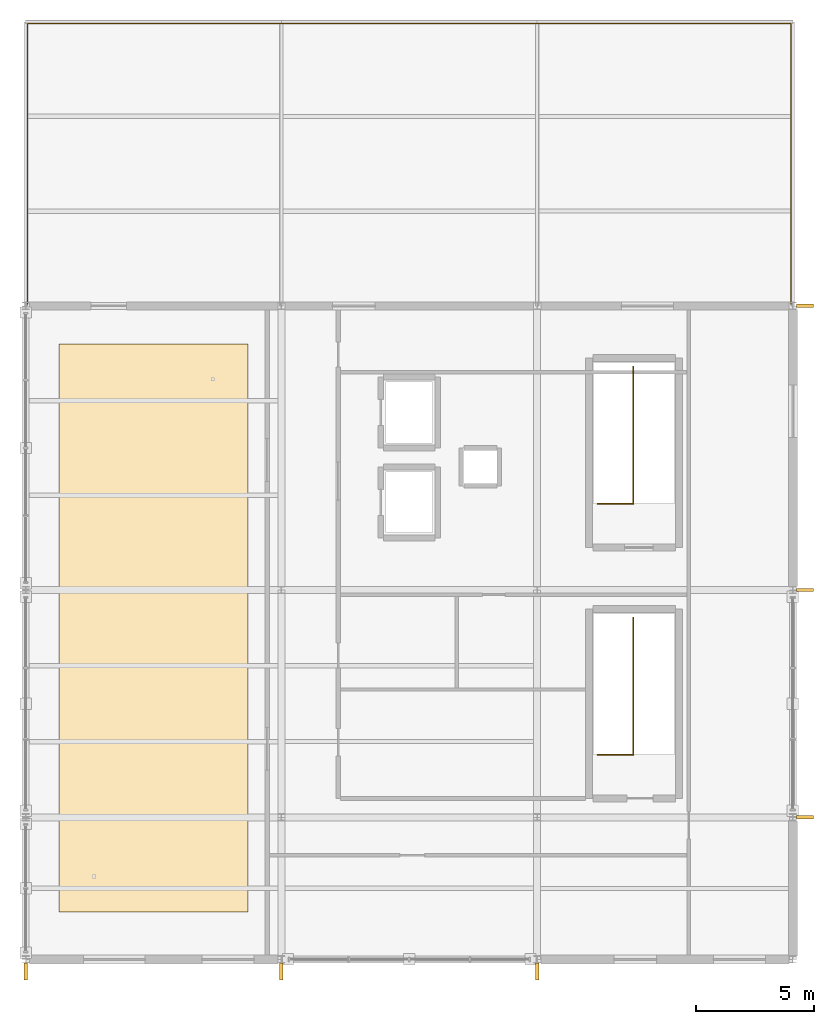
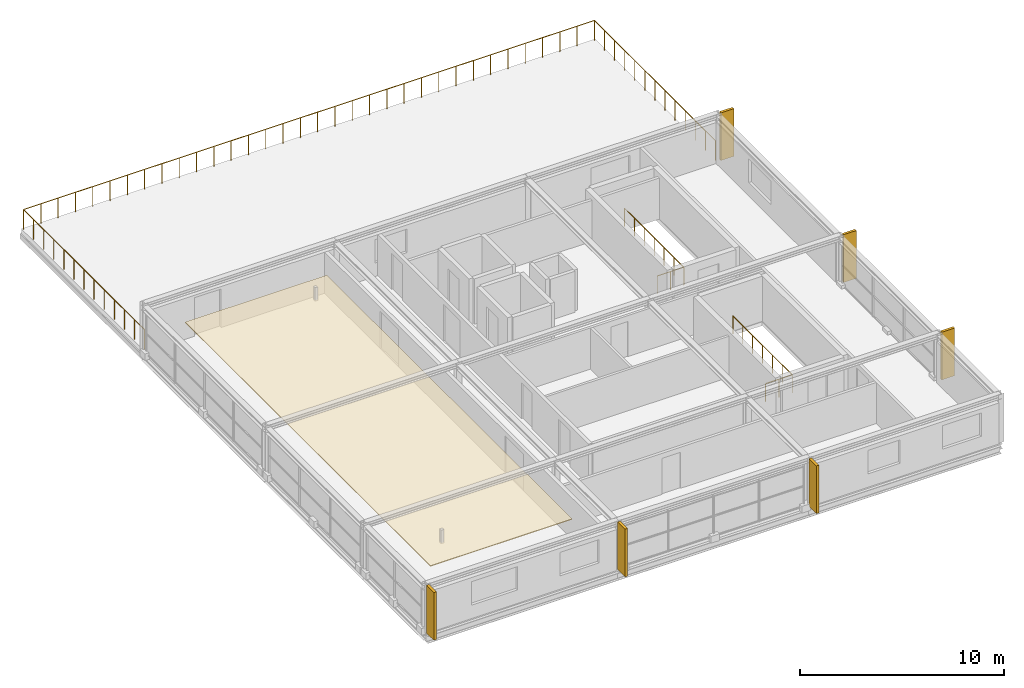
# One storey, part 14 of 14: 7 coverings, 3 railings.
"""IFC4 building model written with IfcOpenShell, lengths in metres."""

from ifc_helpers import new_model, si_unit, direction, frame, origin, origin_2d, place, context, subcontext, project, spatial, polyline, circle, outline, extrude, material, layer, layer_set, type_object, element, save


model = new_model("IFC4")

# Units and contexts
model_context = context("Model", 3, precision=1e-05, world=origin(), true_north=direction((0.0, 1.0)))
body_context = subcontext(model_context, "Body", "Model", "MODEL_VIEW")
ifc_project = project(units=[si_unit("LENGTHUNIT", "METRE"), si_unit("AREAUNIT", "SQUARE_METRE"), si_unit("VOLUMEUNIT", "CUBIC_METRE"), si_unit("PLANEANGLEUNIT", "RADIAN"), si_unit("MASSUNIT", "GRAM", prefix="KILO")], contexts=[model_context])

# Site, building, storey
site_placement = place(None, origin())
site = spatial("IfcSite", under=ifc_project, at=site_placement, CompositionType="ELEMENT")
building_placement = place(site_placement, origin())
building = spatial("IfcBuilding", under=site, at=building_placement, Name="Merenkruunu Market Hall", CompositionType="ELEMENT")
storey_placement = place(building_placement, frame((0.0, 0.0, 18.60009765625)))
storey = spatial("IfcBuildingStorey", under=building, at=storey_placement, Name="L04", CompositionType="ELEMENT", Elevation=18.60009765625)

# Coverings
ifc_material_1 = material(Name="Precast concrete C40/50", Category="concrete")
ifc_layer_1 = layer(ifc_material_1, 0.139892578125)
ifc_layer_set_1 = layer_set([ifc_layer_1], Name="Precast concrete C40/50")
covering_type_1 = type_object("IfcCoveringType", Name="Architectural Precast Sun Fin CLD02", PredefinedType="CLADDING", material=ifc_layer_set_1)
covering_1_placement = place(storey_placement, origin())
element("IfcCovering", 1, at=covering_1_placement, inside=storey, type_object=covering_type_1, Name="FIN-S-L04-072", PredefinedType="CLADDING", context=body_context, shape_type="SweptSolid", body=[
    extrude(outline(polyline([(159.530029296875, -0.8701171875), (159.669921875, -0.8701171875), (159.669921875, -0.14794921875), (159.530029296875, -0.14794921875), (159.530029296875, -0.8701171875)])), origin(), (0.0, 0.0, 1.0), 2.849853515625),
])
covering_2_placement = place(storey_placement, origin())
element("IfcCovering", 2, at=covering_2_placement, inside=storey, type_object=covering_type_1, Name="FIN-S-L04-077", PredefinedType="CLADDING", context=body_context, shape_type="SweptSolid", body=[
    extrude(outline(polyline([(170.330078125, -0.8701171875), (170.469970703125, -0.8701171875), (170.469970703125, -0.14794921875), (170.330078125, -0.14794921875), (170.330078125, -0.8701171875)])), origin(), (0.0, 0.0, 1.0), 2.849853515625),
])
covering_3_placement = place(storey_placement, origin())
element("IfcCovering", 3, at=covering_3_placement, inside=storey, type_object=covering_type_1, Name="FIN-S-L04-082", PredefinedType="CLADDING", context=body_context, shape_type="SweptSolid", body=[
    extrude(outline(polyline([(181.1298828125, -0.8701171875), (181.27001953125, -0.8701171875), (181.27001953125, -0.14794921875), (181.1298828125, -0.14794921875), (181.1298828125, -0.8701171875)])), origin(), (0.0, 0.0, 1.0), 2.849853515625),
])
covering_4_placement = place(storey_placement, origin())
element("IfcCovering", 4, at=covering_4_placement, inside=storey, type_object=covering_type_1, Name="FIN-E-L04-087", PredefinedType="CLADDING", context=body_context, shape_type="SweptSolid", body=[
    extrude(outline(polyline([(192.14794921875, 5.929931640625), (192.8701171875, 5.929931640625), (192.8701171875, 6.070068359375), (192.14794921875, 6.070068359375), (192.14794921875, 5.929931640625)])), origin(), (0.0, 0.0, 1.0), 2.849853515625),
])
covering_5_placement = place(storey_placement, origin())
element("IfcCovering", 5, at=covering_5_placement, inside=storey, type_object=covering_type_1, Name="FIN-E-L04-092", PredefinedType="CLADDING", context=body_context, shape_type="SweptSolid", body=[
    extrude(outline(polyline([(192.14794921875, 15.530029296875), (192.8701171875, 15.530029296875), (192.8701171875, 15.669921875), (192.14794921875, 15.669921875), (192.14794921875, 15.530029296875)])), origin(), (0.0, 0.0, 1.0), 2.849853515625),
])
covering_6_placement = place(storey_placement, origin())
element("IfcCovering", 6, at=covering_6_placement, inside=storey, type_object=covering_type_1, Name="FIN-E-L04-097", PredefinedType="CLADDING", context=body_context, shape_type="SweptSolid", body=[
    extrude(outline(polyline([(192.14794921875, 27.530029296875), (192.8701171875, 27.530029296875), (192.8701171875, 27.669921875), (192.14794921875, 27.669921875), (192.14794921875, 27.530029296875)])), origin(), (0.0, 0.0, 1.0), 2.849853515625),
])

# Railings
ifc_material_2 = material(Name="Brushed stainless steel", Category="steel")
railing_type_1 = type_object("IfcRailingType", Name="Gallery Balustrade Guard GR01", PredefinedType="BALUSTRADE", material=ifc_material_2)
for number, where, name in (
    (7, (183.760009765625, 8.639892578125, 0.0), "RAIL-L04-0053"),
    (8, (183.760009765625, 19.239990234375, 0.0), "RAIL-L04-0070"),
):
    element("IfcRailing", number, at=place(storey_placement, frame(where)), inside=storey, type_object=railing_type_1, Name=name, PredefinedType="BALUSTRADE", context=body_context, shape_type="SweptSolid", body=[
        extrude(circle(Radius=0.02392578125, at=origin_2d()), frame((0.0, 0.0, 1.076171875), z_axis=(1.0, 0.0, 0.0), x_axis=(0.0, 1.0, 0.0)), (0.0, 0.0, 1.0), 1.5),
        extrude(circle(Radius=0.02392578125, at=origin_2d()), frame((1.5, 0.0, 1.076171875), z_axis=(0.0, 1.0, 0.0), x_axis=(-1.0, 0.0, 0.0)), (0.0, 0.0, 1.0), 5.800048828125),
        extrude(circle(Radius=0.02099609375, at=origin_2d()), origin(), (0.0, 0.0, 1.0), 1.052001953125),
        extrude(circle(Radius=0.02099609375, at=origin_2d()), frame((0.75, 0.0, 0.0)), (0.0, 0.0, 1.0), 1.052001953125),
        extrude(circle(Radius=0.02099609375, at=origin_2d()), frame((1.5, 0.0, 0.0)), (0.0, 0.0, 1.0), 1.052001953125),
        extrude(circle(Radius=0.02099609375, at=origin_2d()), frame((1.5, 0.966796875, 0.0)), (0.0, 0.0, 1.0), 1.052001953125),
        extrude(circle(Radius=0.02099609375, at=origin_2d()), frame((1.5, 1.933349609375, 0.0)), (0.0, 0.0, 1.0), 1.052001953125),
        extrude(circle(Radius=0.02099609375, at=origin_2d()), frame((1.5, 2.89990234375, 0.0)), (0.0, 0.0, 1.0), 1.052001953125),
        extrude(circle(Radius=0.02099609375, at=origin_2d()), frame((1.5, 3.86669921875, 0.0)), (0.0, 0.0, 1.0), 1.052001953125),
        extrude(circle(Radius=0.02099609375, at=origin_2d()), frame((1.5, 4.83349609375, 0.0)), (0.0, 0.0, 1.0), 1.052001953125),
        extrude(circle(Radius=0.02099609375, at=origin_2d()), frame((1.5, 5.800048828125, 0.0)), (0.0, 0.0, 1.0), 1.052001953125),
    ])
ifc_material_3 = material(Name="Laminated safety glass", Category="glass")
railing_type_2 = type_object("IfcRailingType", Name="High Drop Balustrade Guard GR02", PredefinedType="BALUSTRADE", material=ifc_material_3)
railing_placement = place(storey_placement, frame((159.679931640625, 27.679931640625, 0.0)))
element("IfcRailing", 9, at=railing_placement, inside=storey, type_object=railing_type_2, Name="RAIL-L04-0138", PredefinedType="BALUSTRADE", context=body_context, shape_type="SweptSolid", body=[
    extrude(circle(Radius=0.02392578125, at=origin_2d()), frame((0.0, 0.0, 1.17578125), z_axis=(0.0, 1.0, 0.0), x_axis=(-1.0, 0.0, 0.0)), (0.0, 0.0, 1.0), 11.840087890625),
    extrude(circle(Radius=0.02392578125, at=origin_2d()), frame((0.0, 11.840087890625, 1.17578125), z_axis=(1.0, 0.0, 0.0), x_axis=(0.0, 1.0, 0.0)), (0.0, 0.0, 1.0), 32.239990234375),
    extrude(circle(Radius=0.02392578125, at=origin_2d()), frame((32.239990234375, 11.840087890625, 1.17578125), z_axis=(0.0, -1.0, 0.0), x_axis=(1.0, 0.0, 0.0)), (0.0, 0.0, 1.0), 11.840087890625),
    extrude(circle(Radius=0.02099609375, at=origin_2d()), origin(), (0.0, 0.0, 1.0), 1.15185546875),
    extrude(circle(Radius=0.02099609375, at=origin_2d()), frame((0.0, 0.986572265625, 0.0)), (0.0, 0.0, 1.0), 1.15185546875),
    extrude(circle(Radius=0.02099609375, at=origin_2d()), frame((0.0, 1.973388671875, 0.0)), (0.0, 0.0, 1.0), 1.15185546875),
    extrude(circle(Radius=0.02099609375, at=origin_2d()), frame((0.0, 2.9599609375, 0.0)), (0.0, 0.0, 1.0), 1.15185546875),
    extrude(circle(Radius=0.02099609375, at=origin_2d()), frame((0.0, 3.94677734375, 0.0)), (0.0, 0.0, 1.0), 1.15185546875),
    extrude(circle(Radius=0.02099609375, at=origin_2d()), frame((0.0, 4.933349609375, 0.0)), (0.0, 0.0, 1.0), 1.15185546875),
    extrude(circle(Radius=0.02099609375, at=origin_2d()), frame((0.0, 5.919921875, 0.0)), (0.0, 0.0, 1.0), 1.15185546875),
    extrude(circle(Radius=0.02099609375, at=origin_2d()), frame((0.0, 6.90673828125, 0.0)), (0.0, 0.0, 1.0), 1.15185546875),
    extrude(circle(Radius=0.02099609375, at=origin_2d()), frame((0.0, 7.893310546875, 0.0)), (0.0, 0.0, 1.0), 1.15185546875),
    extrude(circle(Radius=0.02099609375, at=origin_2d()), frame((0.0, 8.880126953125, 0.0)), (0.0, 0.0, 1.0), 1.15185546875),
    extrude(circle(Radius=0.02099609375, at=origin_2d()), frame((0.0, 9.86669921875, 0.0)), (0.0, 0.0, 1.0), 1.15185546875),
    extrude(circle(Radius=0.02099609375, at=origin_2d()), frame((0.0, 10.853515625, 0.0)), (0.0, 0.0, 1.0), 1.15185546875),
    extrude(circle(Radius=0.02099609375, at=origin_2d()), frame((0.0, 11.840087890625, 0.0)), (0.0, 0.0, 1.0), 1.15185546875),
    extrude(circle(Radius=0.02099609375, at=origin_2d()), frame((0.97705078125, 11.840087890625, 0.0)), (0.0, 0.0, 1.0), 1.15185546875),
    extrude(circle(Radius=0.02099609375, at=origin_2d()), frame((1.953857421875, 11.840087890625, 0.0)), (0.0, 0.0, 1.0), 1.15185546875),
    extrude(circle(Radius=0.02099609375, at=origin_2d()), frame((2.930908203125, 11.840087890625, 0.0)), (0.0, 0.0, 1.0), 1.15185546875),
    extrude(circle(Radius=0.02099609375, at=origin_2d()), frame((3.907958984375, 11.840087890625, 0.0)), (0.0, 0.0, 1.0), 1.15185546875),
    extrude(circle(Radius=0.02099609375, at=origin_2d()), frame((4.884765625, 11.840087890625, 0.0)), (0.0, 0.0, 1.0), 1.15185546875),
    extrude(circle(Radius=0.02099609375, at=origin_2d()), frame((5.86181640625, 11.840087890625, 0.0)), (0.0, 0.0, 1.0), 1.15185546875),
    extrude(circle(Radius=0.02099609375, at=origin_2d()), frame((6.8388671875, 11.840087890625, 0.0)), (0.0, 0.0, 1.0), 1.15185546875),
    extrude(circle(Radius=0.02099609375, at=origin_2d()), frame((7.815673828125, 11.840087890625, 0.0)), (0.0, 0.0, 1.0), 1.15185546875),
    extrude(circle(Radius=0.02099609375, at=origin_2d()), frame((8.792724609375, 11.840087890625, 0.0)), (0.0, 0.0, 1.0), 1.15185546875),
    extrude(circle(Radius=0.02099609375, at=origin_2d()), frame((9.769775390625, 11.840087890625, 0.0)), (0.0, 0.0, 1.0), 1.15185546875),
    extrude(circle(Radius=0.02099609375, at=origin_2d()), frame((10.74658203125, 11.840087890625, 0.0)), (0.0, 0.0, 1.0), 1.15185546875),
    extrude(circle(Radius=0.02099609375, at=origin_2d()), frame((11.7236328125, 11.840087890625, 0.0)), (0.0, 0.0, 1.0), 1.15185546875),
    extrude(circle(Radius=0.02099609375, at=origin_2d()), frame((12.70068359375, 11.840087890625, 0.0)), (0.0, 0.0, 1.0), 1.15185546875),
    extrude(circle(Radius=0.02099609375, at=origin_2d()), frame((13.677490234375, 11.840087890625, 0.0)), (0.0, 0.0, 1.0), 1.15185546875),
    extrude(circle(Radius=0.02099609375, at=origin_2d()), frame((14.654541015625, 11.840087890625, 0.0)), (0.0, 0.0, 1.0), 1.15185546875),
    extrude(circle(Radius=0.02099609375, at=origin_2d()), frame((15.631591796875, 11.840087890625, 0.0)), (0.0, 0.0, 1.0), 1.15185546875),
    extrude(circle(Radius=0.02099609375, at=origin_2d()), frame((16.6083984375, 11.840087890625, 0.0)), (0.0, 0.0, 1.0), 1.15185546875),
    extrude(circle(Radius=0.02099609375, at=origin_2d()), frame((17.58544921875, 11.840087890625, 0.0)), (0.0, 0.0, 1.0), 1.15185546875),
    extrude(circle(Radius=0.02099609375, at=origin_2d()), frame((18.5625, 11.840087890625, 0.0)), (0.0, 0.0, 1.0), 1.15185546875),
    extrude(circle(Radius=0.02099609375, at=origin_2d()), frame((19.539306640625, 11.840087890625, 0.0)), (0.0, 0.0, 1.0), 1.15185546875),
    extrude(circle(Radius=0.02099609375, at=origin_2d()), frame((20.516357421875, 11.840087890625, 0.0)), (0.0, 0.0, 1.0), 1.15185546875),
    extrude(circle(Radius=0.02099609375, at=origin_2d()), frame((21.493408203125, 11.840087890625, 0.0)), (0.0, 0.0, 1.0), 1.15185546875),
    extrude(circle(Radius=0.02099609375, at=origin_2d()), frame((22.47021484375, 11.840087890625, 0.0)), (0.0, 0.0, 1.0), 1.15185546875),
    extrude(circle(Radius=0.02099609375, at=origin_2d()), frame((23.447265625, 11.840087890625, 0.0)), (0.0, 0.0, 1.0), 1.15185546875),
    extrude(circle(Radius=0.02099609375, at=origin_2d()), frame((24.42431640625, 11.840087890625, 0.0)), (0.0, 0.0, 1.0), 1.15185546875),
    extrude(circle(Radius=0.02099609375, at=origin_2d()), frame((25.401123046875, 11.840087890625, 0.0)), (0.0, 0.0, 1.0), 1.15185546875),
    extrude(circle(Radius=0.02099609375, at=origin_2d()), frame((26.378173828125, 11.840087890625, 0.0)), (0.0, 0.0, 1.0), 1.15185546875),
    extrude(circle(Radius=0.02099609375, at=origin_2d()), frame((27.355224609375, 11.840087890625, 0.0)), (0.0, 0.0, 1.0), 1.15185546875),
    extrude(circle(Radius=0.02099609375, at=origin_2d()), frame((28.33203125, 11.840087890625, 0.0)), (0.0, 0.0, 1.0), 1.15185546875),
    extrude(circle(Radius=0.02099609375, at=origin_2d()), frame((29.30908203125, 11.840087890625, 0.0)), (0.0, 0.0, 1.0), 1.15185546875),
    extrude(circle(Radius=0.02099609375, at=origin_2d()), frame((30.2861328125, 11.840087890625, 0.0)), (0.0, 0.0, 1.0), 1.15185546875),
    extrude(circle(Radius=0.02099609375, at=origin_2d()), frame((31.262939453125, 11.840087890625, 0.0)), (0.0, 0.0, 1.0), 1.15185546875),
    extrude(circle(Radius=0.02099609375, at=origin_2d()), frame((32.239990234375, 11.840087890625, 0.0)), (0.0, 0.0, 1.0), 1.15185546875),
    extrude(circle(Radius=0.02099609375, at=origin_2d()), frame((32.239990234375, 10.853515625, 0.0)), (0.0, 0.0, 1.0), 1.15185546875),
    extrude(circle(Radius=0.02099609375, at=origin_2d()), frame((32.239990234375, 9.86669921875, 0.0)), (0.0, 0.0, 1.0), 1.15185546875),
    extrude(circle(Radius=0.02099609375, at=origin_2d()), frame((32.239990234375, 8.880126953125, 0.0)), (0.0, 0.0, 1.0), 1.15185546875),
    extrude(circle(Radius=0.02099609375, at=origin_2d()), frame((32.239990234375, 7.893310546875, 0.0)), (0.0, 0.0, 1.0), 1.15185546875),
    extrude(circle(Radius=0.02099609375, at=origin_2d()), frame((32.239990234375, 6.90673828125, 0.0)), (0.0, 0.0, 1.0), 1.15185546875),
    extrude(circle(Radius=0.02099609375, at=origin_2d()), frame((32.239990234375, 5.919921875, 0.0)), (0.0, 0.0, 1.0), 1.15185546875),
    extrude(circle(Radius=0.02099609375, at=origin_2d()), frame((32.239990234375, 4.933349609375, 0.0)), (0.0, 0.0, 1.0), 1.15185546875),
    extrude(circle(Radius=0.02099609375, at=origin_2d()), frame((32.239990234375, 3.94677734375, 0.0)), (0.0, 0.0, 1.0), 1.15185546875),
    extrude(circle(Radius=0.02099609375, at=origin_2d()), frame((32.239990234375, 2.9599609375, 0.0)), (0.0, 0.0, 1.0), 1.15185546875),
    extrude(circle(Radius=0.02099609375, at=origin_2d()), frame((32.239990234375, 1.973388671875, 0.0)), (0.0, 0.0, 1.0), 1.15185546875),
    extrude(circle(Radius=0.02099609375, at=origin_2d()), frame((32.239990234375, 0.986572265625, 0.0)), (0.0, 0.0, 1.0), 1.15185546875),
    extrude(circle(Radius=0.02099609375, at=origin_2d()), frame((32.239990234375, 0.0, 0.0)), (0.0, 0.0, 1.0), 1.15185546875),
])

# Covering
ifc_material_4 = material(Name="Lacquered Nordic birch", Category="wood")
ifc_layer_2 = layer(ifc_material_4, 0.044921875)
ifc_layer_set_2 = layer_set([ifc_layer_2], Name="Lacquered Nordic birch")
covering_type_2 = type_object("IfcCoveringType", Name="Nordic Birch Acoustic Ceiling CLG01", PredefinedType="CEILING", material=ifc_layer_set_2)
covering_7_placement = place(storey_placement, frame((0.0, 0.0, 2.14990234375)))
element("IfcCovering", 10, at=covering_7_placement, inside=storey, type_object=covering_type_2, Name="COV-CLG-L04-1", PredefinedType="CEILING", context=body_context, shape_type="SweptSolid", body=[
    extrude(outline(polyline([(161.0, 2.0), (161.0, 26.0), (169.0, 26.0), (169.0, 2.0), (161.0, 2.0)])), origin(), (0.0, 0.0, 1.0), 0.044921875),
])

save(model, "model.ifc")
